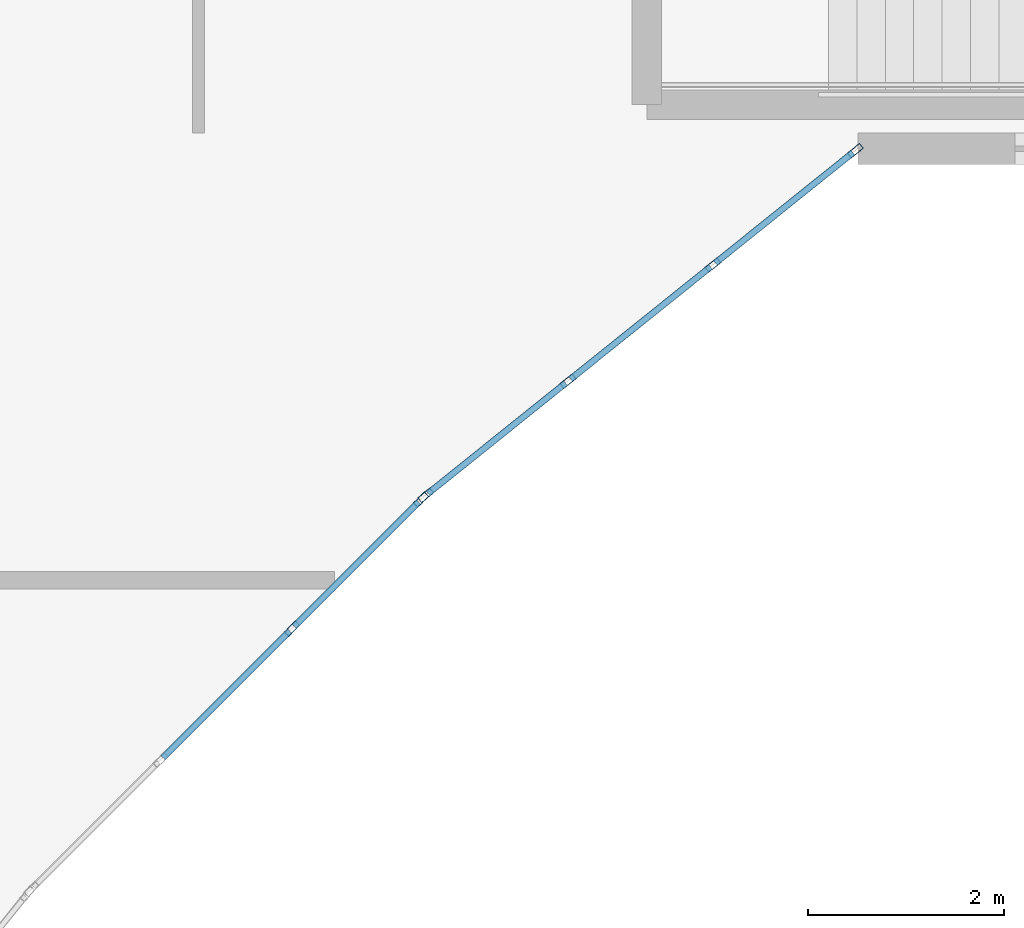
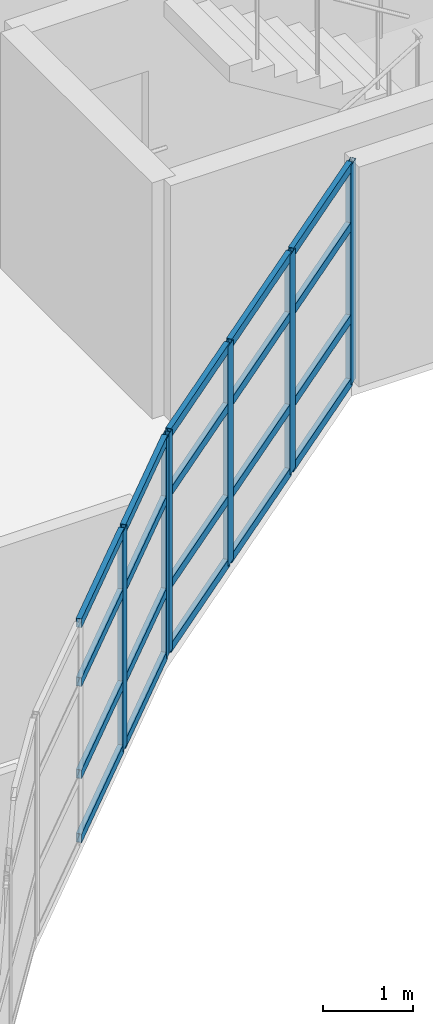
# One storey, part 17 of 76: 26 members, 2 elements without a shape of their own.
"""IFC4 building model written with IfcOpenShell, lengths in metres."""

from ifc_helpers import new_model, si_unit, direction, frame, origin, origin_2d, place, context, subcontext, project, spatial, hollow_rectangle, extrude, material, layer, layer_set, material_profile, profile_set, type_object, element, aggregate, save


model = new_model("IFC4")

# Units and contexts
model_context = context("Model", 3, precision=1e-05, world=origin(), true_north=direction((0.0, 1.0)))
body_context = subcontext(model_context, "Body", "Model", "MODEL_VIEW")
ifc_project = project(units=[si_unit("LENGTHUNIT", "METRE"), si_unit("AREAUNIT", "SQUARE_METRE"), si_unit("VOLUMEUNIT", "CUBIC_METRE"), si_unit("PLANEANGLEUNIT", "RADIAN"), si_unit("MASSUNIT", "GRAM", prefix="KILO")], contexts=[model_context])

# Site, building, storey
site_placement = place(None, origin())
site = spatial("IfcSite", under=ifc_project, at=site_placement, CompositionType="ELEMENT")
building_placement = place(site_placement, origin())
building = spatial("IfcBuilding", under=site, at=building_placement, Name="Keldmere Railside Commons", CompositionType="ELEMENT")
storey_placement = place(building_placement, frame((0.0, 0.0, 13.760009765625)))
storey = spatial("IfcBuildingStorey", under=building, at=storey_placement, Name="L04", CompositionType="ELEMENT", Elevation=13.760009765625)

# Curtain wall, members
ifc_material = material(Name="Thermally Broken Aluminium", Category="aluminium")
ifc_layer_1 = layer(ifc_material, 0.159912109375, Name="Court Chord Wintergarden CW 5400x2850")
ifc_layer_set_1 = layer_set([ifc_layer_1], Name="Thermally Broken Aluminium")
curtain_wall_type_1 = type_object("IfcCurtainWallType", Name="Court Chord Wintergarden CW 5400x2850", PredefinedType="NOTDEFINED", material=ifc_layer_set_1)
curtain_wall_1_placement = place(storey_placement, origin())
curtain_wall_1 = element("IfcCurtainWall", 1, at=curtain_wall_1_placement, inside=storey, type_object=curtain_wall_type_1, Name="CW-13 CW-L04-110", PredefinedType="NOTDEFINED")
ifc_material_profile_1 = material_profile(ifc_material, hollow_rectangle(XDim=0.06494140625, YDim=0.159912109375, WallThickness=0.00390625, at=origin_2d()), Name="ALU-MULL-65x160")
ifc_profile_set_1 = profile_set([ifc_material_profile_1], Name="Thermally Broken Aluminium")
member_type_1 = type_object("IfcMemberType", Name="Unitised Curtain Wall Mullion 65x160", PredefinedType="MULLION", material=ifc_profile_set_1)
member_1_placement = place(storey_placement, frame((127.547119140625, 96.423095703125, 0.0), z_axis=(0.0, 0.0, 1.0), x_axis=(0.707106781187, -0.707106781187, 0.0)))
member_1 = element("IfcMember", 2, at=member_1_placement, type_object=member_type_1, Name="CW-13 mullion 1", PredefinedType="MULLION", context=body_context, shape_type="SweptSolid", body=[
    extrude(hollow_rectangle(XDim=0.06494140625, YDim=0.159912109375, WallThickness=0.00390625, at=origin_2d()), origin(), (0.0, 0.0, 1.0), 2.97998046875),
])
member_2_placement = place(storey_placement, frame((126.2314453125, 95.107421875, 0.0), z_axis=(0.0, 0.0, 1.0), x_axis=(0.707106781187, -0.707106781187, 0.0)))
member_2 = element("IfcMember", 3, at=member_2_placement, type_object=member_type_1, Name="CW-13 mullion 2", PredefinedType="MULLION", context=body_context, shape_type="SweptSolid", body=[
    extrude(hollow_rectangle(XDim=0.06494140625, YDim=0.159912109375, WallThickness=0.00390625, at=origin_2d()), origin(), (0.0, 0.0, 1.0), 2.97998046875),
])

ifc_layer_2 = layer(ifc_material, 0.159912109375, Name="Court Chord Wintergarden CW 4800x2850")
ifc_layer_set_2 = layer_set([ifc_layer_2], Name="Thermally Broken Aluminium")
curtain_wall_type_2 = type_object("IfcCurtainWallType", Name="Court Chord Wintergarden CW 4800x2850", PredefinedType="NOTDEFINED", material=ifc_layer_set_2)
curtain_wall_2_placement = place(storey_placement, origin())
curtain_wall_2 = element("IfcCurtainWall", 4, at=curtain_wall_2_placement, inside=storey, type_object=curtain_wall_type_2, Name="CW-12 CW-L04-111", PredefinedType="NOTDEFINED")
member_3_placement = place(storey_placement, frame((131.974609375, 99.979736328125, 0.0), z_axis=(0.0, 0.0, 1.0), x_axis=(0.625768080915, -0.780009172323, 0.0)))
member_3 = element("IfcMember", 5, at=member_3_placement, type_object=member_type_1, Name="CW-12 mullion 1", PredefinedType="MULLION", context=body_context, shape_type="SweptSolid", body=[
    extrude(hollow_rectangle(XDim=0.06494140625, YDim=0.159912109375, WallThickness=0.00390625, at=origin_2d()), origin(), (0.0, 0.0, 1.0), 2.97998046875),
])
member_4_placement = place(storey_placement, frame((130.5234375, 98.8154296875, 0.0), z_axis=(0.0, 0.0, 1.0), x_axis=(0.625768080915, -0.780009172323, 0.0)))
member_4 = element("IfcMember", 6, at=member_4_placement, type_object=member_type_1, Name="CW-12 mullion 2", PredefinedType="MULLION", context=body_context, shape_type="SweptSolid", body=[
    extrude(hollow_rectangle(XDim=0.06494140625, YDim=0.159912109375, WallThickness=0.00390625, at=origin_2d()), origin(), (0.0, 0.0, 1.0), 2.97998046875),
])
member_5_placement = place(storey_placement, frame((129.046630859375, 97.630615234375, 0.0), z_axis=(0.0, 0.0, 1.0), x_axis=(0.625768080915, -0.780009172323, 0.0)))
member_5 = element("IfcMember", 7, at=member_5_placement, type_object=member_type_1, Name="CW-12 mullion 3", PredefinedType="MULLION", context=body_context, shape_type="SweptSolid", body=[
    extrude(hollow_rectangle(XDim=0.06494140625, YDim=0.159912109375, WallThickness=0.00390625, at=origin_2d()), origin(), (0.0, 0.0, 1.0), 2.97998046875),
])
member_6_placement = place(storey_placement, frame((127.595458984375, 96.46630859375, 0.0), z_axis=(0.0, 0.0, 1.0), x_axis=(0.625768080915, -0.780009172323, 0.0)))
member_6 = element("IfcMember", 8, at=member_6_placement, type_object=member_type_1, Name="CW-12 mullion 4", PredefinedType="MULLION", context=body_context, shape_type="SweptSolid", body=[
    extrude(hollow_rectangle(XDim=0.06494140625, YDim=0.159912109375, WallThickness=0.00390625, at=origin_2d()), origin(), (0.0, 0.0, 1.0), 2.97998046875),
])

# Member
ifc_material_profile_2 = material_profile(ifc_material, hollow_rectangle(XDim=0.06494140625, YDim=0.1201171875, WallThickness=0.00390625, at=origin_2d()), Name="ALU-TRAN-65x120")
ifc_profile_set_2 = profile_set([ifc_material_profile_2], Name="Thermally Broken Aluminium")
member_type_2 = type_object("IfcMemberType", Name="Unitised Curtain Wall Transom 65x120", PredefinedType="USERDEFINED", material=ifc_profile_set_2)
member_7_placement = place(storey_placement, frame((127.52392578125, 96.400146484375, 0.032470703125), z_axis=(-0.707038793419, -0.707174762418, 0.0), x_axis=(0.707174762418, -0.707038793419, 0.0)))
member_7 = element("IfcMember", 9, at=member_7_placement, type_object=member_type_2, Name="CW-13 transom 1.1", ObjectType="TRANSOM", PredefinedType="USERDEFINED", context=body_context, shape_type="SweptSolid", body=[
    extrude(hollow_rectangle(XDim=0.06494140625, YDim=0.1201171875, WallThickness=0.00390625, at=origin_2d()), origin(), (0.0, 0.0, 1.0), 1.795654296875),
])

member_8_placement = place(storey_placement, frame((127.52392578125, 96.400146484375, 0.89990234375), z_axis=(-0.707038793419, -0.707174762418, 0.0), x_axis=(0.707174762418, -0.707038793419, 0.0)))
member_8 = element("IfcMember", 10, at=member_8_placement, type_object=member_type_2, Name="CW-13 transom 1.2", ObjectType="TRANSOM", PredefinedType="USERDEFINED", context=body_context, shape_type="SweptSolid", body=[
    extrude(hollow_rectangle(XDim=0.06494140625, YDim=0.1201171875, WallThickness=0.00390625, at=origin_2d()), origin(), (0.0, 0.0, 1.0), 1.795654296875),
])

member_9_placement = place(storey_placement, frame((127.52392578125, 96.400146484375, 2.14990234375), z_axis=(-0.707038793419, -0.707174762418, 0.0), x_axis=(0.707174762418, -0.707038793419, 0.0)))
member_9 = element("IfcMember", 11, at=member_9_placement, type_object=member_type_2, Name="CW-13 transom 1.3", ObjectType="TRANSOM", PredefinedType="USERDEFINED", context=body_context, shape_type="SweptSolid", body=[
    extrude(hollow_rectangle(XDim=0.06494140625, YDim=0.1201171875, WallThickness=0.00390625, at=origin_2d()), origin(), (0.0, 0.0, 1.0), 1.795654296875),
])

member_10_placement = place(storey_placement, frame((127.52392578125, 96.400146484375, 2.947509765625), z_axis=(-0.707038793419, -0.707174762418, 0.0), x_axis=(0.707174762418, -0.707038793419, 0.0)))
member_10 = element("IfcMember", 12, at=member_10_placement, type_object=member_type_2, Name="CW-13 transom 1.4", ObjectType="TRANSOM", PredefinedType="USERDEFINED", context=body_context, shape_type="SweptSolid", body=[
    extrude(hollow_rectangle(XDim=0.06494140625, YDim=0.1201171875, WallThickness=0.00390625, at=origin_2d()), origin(), (0.0, 0.0, 1.0), 1.795654296875),
])

member_11_placement = place(storey_placement, frame((126.208251953125, 95.08447265625, 0.032470703125), z_axis=(-0.707106781187, -0.707106781187, 0.0), x_axis=(0.707106781187, -0.707106781187, 0.0)))
member_11 = element("IfcMember", 13, at=member_11_placement, type_object=member_type_2, Name="CW-13 transom 2.1", ObjectType="TRANSOM", PredefinedType="USERDEFINED", context=body_context, shape_type="SweptSolid", body=[
    extrude(hollow_rectangle(XDim=0.06494140625, YDim=0.1201171875, WallThickness=0.00390625, at=origin_2d()), origin(), (0.0, 0.0, 1.0), 1.828125),
])

member_12_placement = place(storey_placement, frame((126.208251953125, 95.08447265625, 0.89990234375), z_axis=(-0.707106781187, -0.707106781187, 0.0), x_axis=(0.707106781187, -0.707106781187, 0.0)))
member_12 = element("IfcMember", 14, at=member_12_placement, type_object=member_type_2, Name="CW-13 transom 2.2", ObjectType="TRANSOM", PredefinedType="USERDEFINED", context=body_context, shape_type="SweptSolid", body=[
    extrude(hollow_rectangle(XDim=0.06494140625, YDim=0.1201171875, WallThickness=0.00390625, at=origin_2d()), origin(), (0.0, 0.0, 1.0), 1.828125),
])

member_13_placement = place(storey_placement, frame((126.208251953125, 95.08447265625, 2.14990234375), z_axis=(-0.707106781187, -0.707106781187, 0.0), x_axis=(0.707106781187, -0.707106781187, 0.0)))
member_13 = element("IfcMember", 15, at=member_13_placement, type_object=member_type_2, Name="CW-13 transom 2.3", ObjectType="TRANSOM", PredefinedType="USERDEFINED", context=body_context, shape_type="SweptSolid", body=[
    extrude(hollow_rectangle(XDim=0.06494140625, YDim=0.1201171875, WallThickness=0.00390625, at=origin_2d()), origin(), (0.0, 0.0, 1.0), 1.828125),
])

member_14_placement = place(storey_placement, frame((126.208251953125, 95.08447265625, 2.947509765625), z_axis=(-0.707106781187, -0.707106781187, 0.0), x_axis=(0.707106781187, -0.707106781187, 0.0)))
member_14 = element("IfcMember", 16, at=member_14_placement, type_object=member_type_2, Name="CW-13 transom 2.4", ObjectType="TRANSOM", PredefinedType="USERDEFINED", context=body_context, shape_type="SweptSolid", body=[
    extrude(hollow_rectangle(XDim=0.06494140625, YDim=0.1201171875, WallThickness=0.00390625, at=origin_2d()), origin(), (0.0, 0.0, 1.0), 1.828125),
])

aggregate(curtain_wall_1, [member_1, member_2, member_7, member_8, member_9, member_10, member_11, member_12, member_13, member_14])

member_15_placement = place(storey_placement, frame((131.94921875, 99.959228515625, 0.032470703125), z_axis=(-0.780045694992, -0.625722553313, 0.0), x_axis=(0.625722553313, -0.780045694992, 0.0)))
member_15 = element("IfcMember", 17, at=member_15_placement, type_object=member_type_2, Name="CW-12 transom 1.1", ObjectType="TRANSOM", PredefinedType="USERDEFINED", context=body_context, shape_type="SweptSolid", body=[
    extrude(hollow_rectangle(XDim=0.06494140625, YDim=0.1201171875, WallThickness=0.00390625, at=origin_2d()), origin(), (0.0, 0.0, 1.0), 1.795654296875),
])

member_16_placement = place(storey_placement, frame((131.94921875, 99.959228515625, 0.89990234375), z_axis=(-0.780045694992, -0.625722553313, 0.0), x_axis=(0.625722553313, -0.780045694992, 0.0)))
member_16 = element("IfcMember", 18, at=member_16_placement, type_object=member_type_2, Name="CW-12 transom 1.2", ObjectType="TRANSOM", PredefinedType="USERDEFINED", context=body_context, shape_type="SweptSolid", body=[
    extrude(hollow_rectangle(XDim=0.06494140625, YDim=0.1201171875, WallThickness=0.00390625, at=origin_2d()), origin(), (0.0, 0.0, 1.0), 1.795654296875),
])

member_17_placement = place(storey_placement, frame((131.94921875, 99.959228515625, 2.14990234375), z_axis=(-0.780045694992, -0.625722553313, 0.0), x_axis=(0.625722553313, -0.780045694992, 0.0)))
member_17 = element("IfcMember", 19, at=member_17_placement, type_object=member_type_2, Name="CW-12 transom 1.3", ObjectType="TRANSOM", PredefinedType="USERDEFINED", context=body_context, shape_type="SweptSolid", body=[
    extrude(hollow_rectangle(XDim=0.06494140625, YDim=0.1201171875, WallThickness=0.00390625, at=origin_2d()), origin(), (0.0, 0.0, 1.0), 1.795654296875),
])

member_18_placement = place(storey_placement, frame((131.94921875, 99.959228515625, 2.947509765625), z_axis=(-0.780045694992, -0.625722553313, 0.0), x_axis=(0.625722553313, -0.780045694992, 0.0)))
member_18 = element("IfcMember", 20, at=member_18_placement, type_object=member_type_2, Name="CW-12 transom 1.4", ObjectType="TRANSOM", PredefinedType="USERDEFINED", context=body_context, shape_type="SweptSolid", body=[
    extrude(hollow_rectangle(XDim=0.06494140625, YDim=0.1201171875, WallThickness=0.00390625, at=origin_2d()), origin(), (0.0, 0.0, 1.0), 1.795654296875),
])

member_19_placement = place(storey_placement, frame((130.498046875, 98.794921875, 0.032470703125), z_axis=(-0.78007338409, -0.625688033635, 0.0), x_axis=(0.625688033635, -0.78007338409, 0.0)))
member_19 = element("IfcMember", 21, at=member_19_placement, type_object=member_type_2, Name="CW-12 transom 2.1", ObjectType="TRANSOM", PredefinedType="USERDEFINED", context=body_context, shape_type="SweptSolid", body=[
    extrude(hollow_rectangle(XDim=0.06494140625, YDim=0.1201171875, WallThickness=0.00390625, at=origin_2d()), origin(), (0.0, 0.0, 1.0), 1.828125),
])

member_20_placement = place(storey_placement, frame((130.498046875, 98.794921875, 0.89990234375), z_axis=(-0.78007338409, -0.625688033635, 0.0), x_axis=(0.625688033635, -0.78007338409, 0.0)))
member_20 = element("IfcMember", 22, at=member_20_placement, type_object=member_type_2, Name="CW-12 transom 2.2", ObjectType="TRANSOM", PredefinedType="USERDEFINED", context=body_context, shape_type="SweptSolid", body=[
    extrude(hollow_rectangle(XDim=0.06494140625, YDim=0.1201171875, WallThickness=0.00390625, at=origin_2d()), origin(), (0.0, 0.0, 1.0), 1.828125),
])

member_21_placement = place(storey_placement, frame((130.498046875, 98.794921875, 2.14990234375), z_axis=(-0.78007338409, -0.625688033635, 0.0), x_axis=(0.625688033635, -0.78007338409, 0.0)))
member_21 = element("IfcMember", 23, at=member_21_placement, type_object=member_type_2, Name="CW-12 transom 2.3", ObjectType="TRANSOM", PredefinedType="USERDEFINED", context=body_context, shape_type="SweptSolid", body=[
    extrude(hollow_rectangle(XDim=0.06494140625, YDim=0.1201171875, WallThickness=0.00390625, at=origin_2d()), origin(), (0.0, 0.0, 1.0), 1.828125),
])

member_22_placement = place(storey_placement, frame((130.498046875, 98.794921875, 2.947509765625), z_axis=(-0.78007338409, -0.625688033635, 0.0), x_axis=(0.625688033635, -0.78007338409, 0.0)))
member_22 = element("IfcMember", 24, at=member_22_placement, type_object=member_type_2, Name="CW-12 transom 2.4", ObjectType="TRANSOM", PredefinedType="USERDEFINED", context=body_context, shape_type="SweptSolid", body=[
    extrude(hollow_rectangle(XDim=0.06494140625, YDim=0.1201171875, WallThickness=0.00390625, at=origin_2d()), origin(), (0.0, 0.0, 1.0), 1.828125),
])

member_23_placement = place(storey_placement, frame((129.021240234375, 97.6103515625, 0.032470703125), z_axis=(-0.779979331565, -0.625805275091, 0.0), x_axis=(0.625805275091, -0.779979331565, 0.0)))
member_23 = element("IfcMember", 25, at=member_23_placement, type_object=member_type_2, Name="CW-12 transom 3.1", ObjectType="TRANSOM", PredefinedType="USERDEFINED", context=body_context, shape_type="SweptSolid", body=[
    extrude(hollow_rectangle(XDim=0.06494140625, YDim=0.1201171875, WallThickness=0.00390625, at=origin_2d()), origin(), (0.0, 0.0, 1.0), 1.795654296875),
])

member_24_placement = place(storey_placement, frame((129.021240234375, 97.6103515625, 0.89990234375), z_axis=(-0.779979331565, -0.625805275091, 0.0), x_axis=(0.625805275091, -0.779979331565, 0.0)))
member_24 = element("IfcMember", 26, at=member_24_placement, type_object=member_type_2, Name="CW-12 transom 3.2", ObjectType="TRANSOM", PredefinedType="USERDEFINED", context=body_context, shape_type="SweptSolid", body=[
    extrude(hollow_rectangle(XDim=0.06494140625, YDim=0.1201171875, WallThickness=0.00390625, at=origin_2d()), origin(), (0.0, 0.0, 1.0), 1.795654296875),
])

member_25_placement = place(storey_placement, frame((129.021240234375, 97.6103515625, 2.14990234375), z_axis=(-0.779979331565, -0.625805275091, 0.0), x_axis=(0.625805275091, -0.779979331565, 0.0)))
member_25 = element("IfcMember", 27, at=member_25_placement, type_object=member_type_2, Name="CW-12 transom 3.3", ObjectType="TRANSOM", PredefinedType="USERDEFINED", context=body_context, shape_type="SweptSolid", body=[
    extrude(hollow_rectangle(XDim=0.06494140625, YDim=0.1201171875, WallThickness=0.00390625, at=origin_2d()), origin(), (0.0, 0.0, 1.0), 1.795654296875),
])

member_26_placement = place(storey_placement, frame((129.021240234375, 97.6103515625, 2.947509765625), z_axis=(-0.779979331565, -0.625805275091, 0.0), x_axis=(0.625805275091, -0.779979331565, 0.0)))
member_26 = element("IfcMember", 28, at=member_26_placement, type_object=member_type_2, Name="CW-12 transom 3.4", ObjectType="TRANSOM", PredefinedType="USERDEFINED", context=body_context, shape_type="SweptSolid", body=[
    extrude(hollow_rectangle(XDim=0.06494140625, YDim=0.1201171875, WallThickness=0.00390625, at=origin_2d()), origin(), (0.0, 0.0, 1.0), 1.795654296875),
])

aggregate(curtain_wall_2, [member_3, member_4, member_5, member_6, member_15, member_16, member_17, member_18, member_19, member_20, member_21, member_22, member_23, member_24, member_25, member_26])

save(model, "model.ifc")
